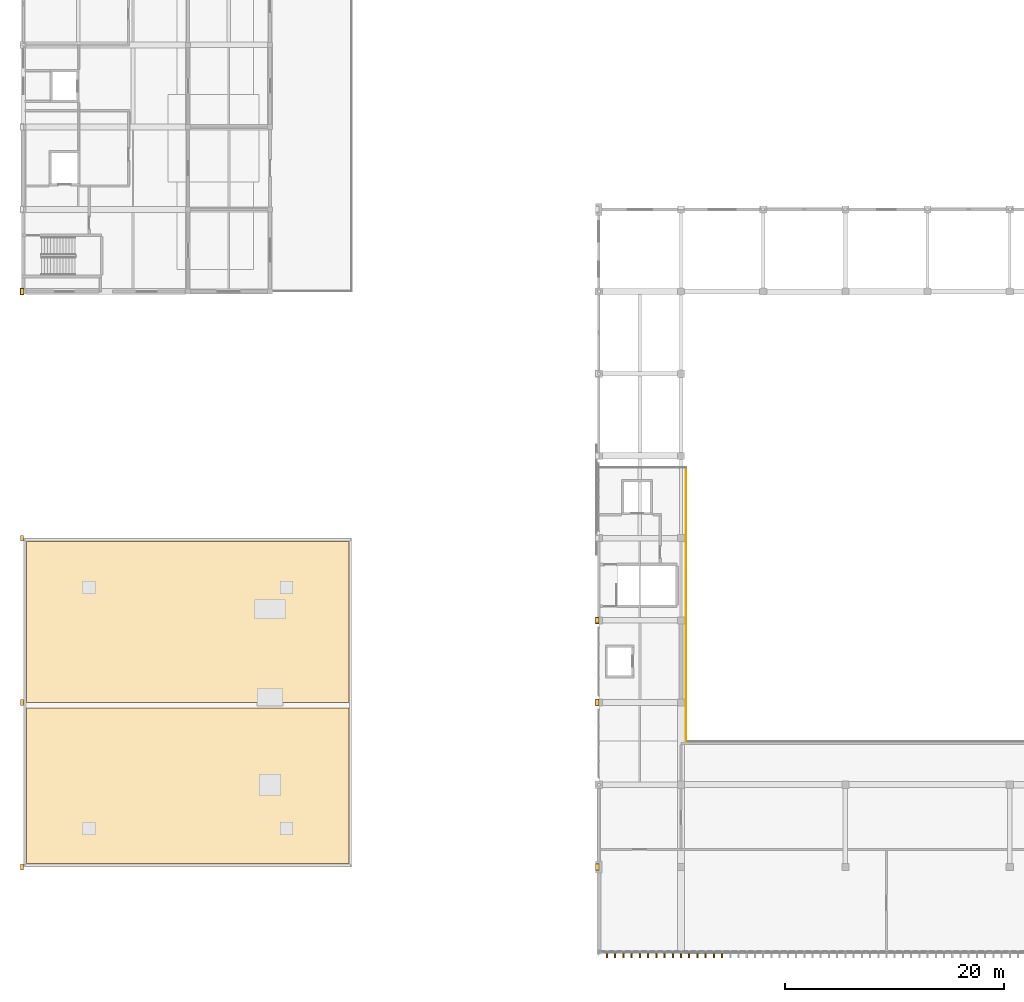
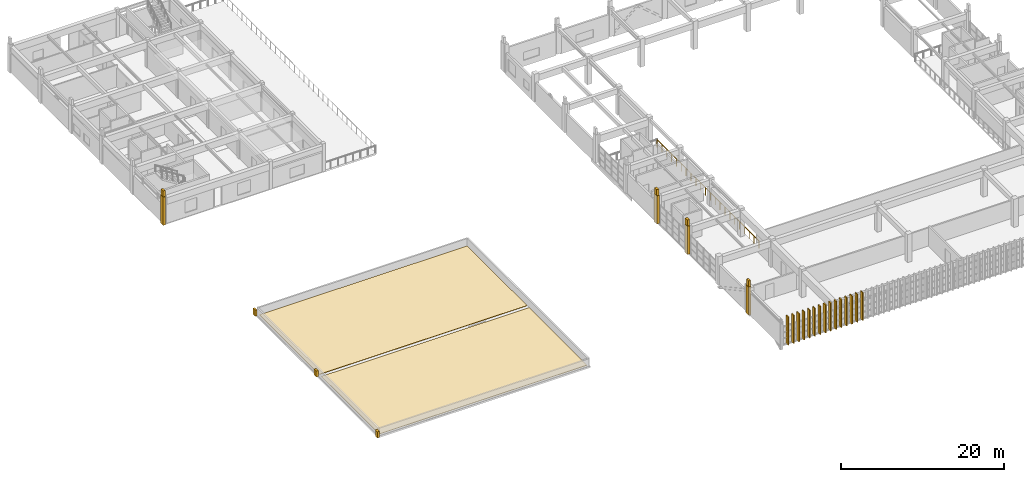
# One storey, part 44 of 51: 28 coverings, 1 railing.
"""IFC4 building model written with IfcOpenShell, lengths in metres."""

from ifc_helpers import new_model, si_unit, direction, frame, origin, origin_2d, place, context, subcontext, project, spatial, polyline, rectangle, circle, outline, extrude, material, layer, layer_set, type_object, element, save


model = new_model("IFC4")

# Units and contexts
model_context = context("Model", 3, precision=1e-05, world=origin(), true_north=direction((0.0, 1.0)))
body_context = subcontext(model_context, "Body", "Model", "MODEL_VIEW")
ifc_project = project(units=[si_unit("LENGTHUNIT", "METRE"), si_unit("AREAUNIT", "SQUARE_METRE"), si_unit("VOLUMEUNIT", "CUBIC_METRE"), si_unit("PLANEANGLEUNIT", "RADIAN"), si_unit("MASSUNIT", "GRAM", prefix="KILO")], contexts=[model_context])

# Site, building, storey
site_placement = place(None, origin())
site = spatial("IfcSite", under=ifc_project, at=site_placement, CompositionType="ELEMENT")
building_placement = place(site_placement, origin())
building = spatial("IfcBuilding", under=site, at=building_placement, Name="Qasida Concert Hall", CompositionType="ELEMENT")
storey_placement = place(building_placement, frame((0.0, 0.0, 21.0)))
storey = spatial("IfcBuildingStorey", under=building, at=storey_placement, Name="L05", CompositionType="ELEMENT", Elevation=21.0)

# Coverings
ifc_material_1 = material(Name="Fluted ochre Lebanese limestone and patinated bronze fin", Category="masonry")
ifc_layer_1 = layer(ifc_material_1, 0.52001953125, Name="Fluted ochre Lebanese limestone and patinated bronze fin")
ifc_layer_set_1 = layer_set([ifc_layer_1], Name="Fluted ochre Lebanese limestone and patinated bronze fin")
covering_type_1 = type_object("IfcCoveringType", Name="CV-FIN-520", PredefinedType="CLADDING", material=ifc_layer_set_1)
for number, where, z_axis, x_axis, name in (
    (1, (53.25, 14.4599609375, 0.0), (0.0, 0.0, 1.0), (1.0, 0.0, 0.0), "L05 fluted facade fin FN-001"),
    (2, (54.0, 14.4599609375, 0.0), (0.0, 0.0, 1.0), (1.0, 0.0, 0.0), "L05 fluted facade fin FN-002"),
    (3, (54.75, 14.4599609375, 0.0), (0.0, 0.0, 1.0), (1.0, 0.0, 0.0), "L05 fluted facade fin FN-003"),
    (4, (55.5, 14.4599609375, 0.0), (0.0, 0.0, 1.0), (1.0, 0.0, 0.0), "L05 fluted facade fin FN-004"),
    (5, (56.25, 14.4599609375, 0.0), (0.0, 0.0, 1.0), (1.0, 0.0, 0.0), "L05 fluted facade fin FN-005"),
    (6, (57.0, 14.4599609375, 0.0), (0.0, 0.0, 1.0), (1.0, 0.0, 0.0), "L05 fluted facade fin FN-006"),
    (7, (57.75, 14.4599609375, 0.0), (0.0, 0.0, 1.0), (1.0, 0.0, 0.0), "L05 fluted facade fin FN-007"),
    (8, (58.5, 14.4599609375, 0.0), (0.0, 0.0, 1.0), (1.0, 0.0, 0.0), "L05 fluted facade fin FN-008"),
    (9, (59.25, 14.4599609375, 0.0), (0.0, 0.0, 1.0), (1.0, 0.0, 0.0), "L05 fluted facade fin FN-009"),
    (10, (60.0, 14.4599609375, 0.0), (0.0, 0.0, 1.0), (1.0, 0.0, 0.0), "L05 fluted facade fin FN-010"),
    (11, (60.75, 14.4599609375, 0.0), (0.0, 0.0, 1.0), (1.0, 0.0, 0.0), "L05 fluted facade fin FN-011"),
    (12, (61.5, 14.4599609375, 0.0), (0.0, 0.0, 1.0), (1.0, 0.0, 0.0), "L05 fluted facade fin FN-012"),
    (13, (62.25, 14.4599609375, 0.0), (0.0, 0.0, 1.0), (1.0, 0.0, 0.0), "L05 fluted facade fin FN-013"),
    (14, (63.0, 14.4599609375, 0.0), (0.0, 0.0, 1.0), (1.0, 0.0, 0.0), "L05 fluted facade fin FN-014"),
    (15, (63.75, 14.4599609375, 0.0), (0.0, 0.0, 1.0), (1.0, 0.0, 0.0), "L05 fluted facade fin FN-015"),
):
    element("IfcCovering", number, at=place(storey_placement, frame(where, z_axis=z_axis, x_axis=x_axis)), inside=storey, type_object=covering_type_1, Name=name, PredefinedType="CLADDING", context=body_context, shape_type="SweptSolid", body=[
        extrude(rectangle(XDim=0.139892578125, YDim=0.52001953125, at=origin_2d()), origin(), (0.0, 0.0, 1.0), 4.199951171875),
    ])
ifc_material_2 = material(Name="Projecting fluted Lebanese limestone Art Deco pilaster", Category="masonry")
ifc_layer_2 = layer(ifc_material_2, 0.35009765625, Name="Projecting fluted Lebanese limestone Art Deco pilaster")
ifc_layer_set_2 = layer_set([ifc_layer_2], Name="Projecting fluted Lebanese limestone Art Deco pilaster")
covering_type_2 = type_object("IfcCoveringType", Name="CV-PIL-650", PredefinedType="CLADDING", material=ifc_layer_set_2)
covering_1_placement = place(storey_placement, frame((52.364990234375, 22.5, 0.0), z_axis=(0.0, 0.0, 1.0), x_axis=(1.0, 0.0, 0.0)))
element("IfcCovering", 16, at=covering_1_placement, inside=storey, type_object=covering_type_2, Name="L05 fluted limestone pilaster 0006", PredefinedType="CLADDING", context=body_context, shape_type="SweptSolid", body=[
    extrude(rectangle(XDim=0.35009765625, YDim=0.64990234375, at=origin_2d()), origin(), (0.0, 0.0, 1.0), 4.199951171875),
])
covering_2_placement = place(storey_placement, frame((52.364990234375, 22.5, 4.199951171875), z_axis=(0.0, 0.0, 1.0), x_axis=(1.0, 0.0, 0.0)))
element("IfcCovering", 17, at=covering_2_placement, inside=storey, type_object=covering_type_2, Name="Stepped Art Deco pier finial 0007", PredefinedType="CLADDING", context=body_context, shape_type="SweptSolid", body=[
    extrude(rectangle(XDim=0.300048828125, YDim=0.52001953125, at=origin_2d()), origin(), (0.0, 0.0, 1.0), 0.89990234375),
])
covering_3_placement = place(storey_placement, frame((52.364990234375, 37.5, 0.0), z_axis=(0.0, 0.0, 1.0), x_axis=(1.0, 0.0, 0.0)))
element("IfcCovering", 18, at=covering_3_placement, inside=storey, type_object=covering_type_2, Name="L05 fluted limestone pilaster 0020", PredefinedType="CLADDING", context=body_context, shape_type="SweptSolid", body=[
    extrude(rectangle(XDim=0.35009765625, YDim=0.64990234375, at=origin_2d()), origin(), (0.0, 0.0, 1.0), 4.199951171875),
])
covering_4_placement = place(storey_placement, frame((52.364990234375, 37.5, 4.199951171875), z_axis=(0.0, 0.0, 1.0), x_axis=(1.0, 0.0, 0.0)))
element("IfcCovering", 19, at=covering_4_placement, inside=storey, type_object=covering_type_2, Name="Stepped Art Deco pier finial 0021", PredefinedType="CLADDING", context=body_context, shape_type="SweptSolid", body=[
    extrude(rectangle(XDim=0.300048828125, YDim=0.52001953125, at=origin_2d()), origin(), (0.0, 0.0, 1.0), 0.89990234375),
])
covering_5_placement = place(storey_placement, frame((52.364990234375, 45.0, 0.0), z_axis=(0.0, 0.0, 1.0), x_axis=(1.0, 0.0, 0.0)))
element("IfcCovering", 20, at=covering_5_placement, inside=storey, type_object=covering_type_2, Name="L05 fluted limestone pilaster 0034", PredefinedType="CLADDING", context=body_context, shape_type="SweptSolid", body=[
    extrude(rectangle(XDim=0.35009765625, YDim=0.64990234375, at=origin_2d()), origin(), (0.0, 0.0, 1.0), 4.199951171875),
])
for number, where, z_axis, x_axis, name in (
    (21, (52.364990234375, 45.0, 4.199951171875), (0.0, 0.0, 1.0), (1.0, 0.0, 0.0), "Stepped Art Deco pier finial 0035"),
    (22, (-0.135009765625, 22.5, 0.0), (0.0, 0.0, 1.0), (1.0, 0.0, 0.0), "Stepped Art Deco pier finial 0178"),
    (23, (-0.135009765625, 37.5, 0.0), (0.0, 0.0, 1.0), (1.0, 0.0, 0.0), "Stepped Art Deco pier finial 0184"),
    (24, (-0.135009765625, 52.5, 0.0), (0.0, 0.0, 1.0), (1.0, 0.0, 0.0), "Stepped Art Deco pier finial 0190"),
):
    element("IfcCovering", number, at=place(storey_placement, frame(where, z_axis=z_axis, x_axis=x_axis)), inside=storey, type_object=covering_type_2, Name=name, PredefinedType="CLADDING", context=body_context, shape_type="SweptSolid", body=[
        extrude(rectangle(XDim=0.300048828125, YDim=0.52001953125, at=origin_2d()), origin(), (0.0, 0.0, 1.0), 0.89990234375),
    ])
covering_6_placement = place(storey_placement, frame((-0.135009765625, 75.0, 0.0), z_axis=(0.0, 0.0, 1.0), x_axis=(1.0, 0.0, 0.0)))
element("IfcCovering", 25, at=covering_6_placement, inside=storey, type_object=covering_type_2, Name="L05 fluted limestone pilaster 0270", PredefinedType="CLADDING", context=body_context, shape_type="SweptSolid", body=[
    extrude(rectangle(XDim=0.35009765625, YDim=0.64990234375, at=origin_2d()), origin(), (0.0, 0.0, 1.0), 4.199951171875),
])
covering_7_placement = place(storey_placement, frame((-0.135009765625, 75.0, 4.199951171875), z_axis=(0.0, 0.0, 1.0), x_axis=(1.0, 0.0, 0.0)))
element("IfcCovering", 26, at=covering_7_placement, inside=storey, type_object=covering_type_2, Name="Stepped Art Deco pier finial 0271", PredefinedType="CLADDING", context=body_context, shape_type="SweptSolid", body=[
    extrude(rectangle(XDim=0.300048828125, YDim=0.52001953125, at=origin_2d()), origin(), (0.0, 0.0, 1.0), 0.89990234375),
])
ifc_material_3 = material(Name="Standing-seam patinated zinc-bronze acoustic roofing", Category="aluminium")
ifc_layer_3 = layer(ifc_material_3, 0.06005859375, Name="Standing-seam patinated zinc-bronze acoustic roofing")
ifc_layer_set_3 = layer_set([ifc_layer_3], Name="Standing-seam patinated zinc-bronze acoustic roofing")
covering_type_3 = type_object("IfcCoveringType", Name="CV-RF-1", PredefinedType="ROOFING", material=ifc_layer_set_3)
covering_8_placement = place(storey_placement, origin())
element("IfcCovering", 27, at=covering_8_placement, inside=storey, type_object=covering_type_3, Name="L05 acoustic standing-seam roofing 03", PredefinedType="ROOFING", context=body_context, shape_type="SweptSolid", body=[
    extrude(outline(polyline([(0.300048828125, 22.800048828125), (29.699951171875, 22.800048828125), (29.699951171875, 37.0), (0.300048828125, 37.0), (0.300048828125, 22.800048828125)])), origin(), (0.0, 0.0, 1.0), 0.06005859375),
])
covering_9_placement = place(storey_placement, origin())
element("IfcCovering", 28, at=covering_9_placement, inside=storey, type_object=covering_type_3, Name="L05 acoustic standing-seam roofing 04", PredefinedType="ROOFING", context=body_context, shape_type="SweptSolid", body=[
    extrude(outline(polyline([(0.300048828125, 37.5), (29.699951171875, 37.5), (29.699951171875, 52.199951171875), (0.300048828125, 52.199951171875), (0.300048828125, 37.5)])), origin(), (0.0, 0.0, 1.0), 0.06005859375),
])

# Railing
ifc_material_4 = material(Name="Patinated architectural bronze and laminated glass infill", Category="glass")
ifc_layer_4 = layer(ifc_material_4, 0.080078125, Name="Patinated architectural bronze and laminated glass infill")
ifc_layer_set_4 = layer_set([ifc_layer_4], Name="Patinated architectural bronze and laminated glass infill")
railing_type = type_object("IfcRailingType", Name="RL-GRD-1100", PredefinedType="GUARDRAIL", material=ifc_layer_set_4)
railing_placement = place(storey_placement, frame((60.4599609375, 58.949951171875, 0.0)))
element("IfcRailing", 29, at=railing_placement, inside=storey, type_object=railing_type, Name="L05 Symphony upper gallery guardrail 0119", PredefinedType="GUARDRAIL", context=body_context, shape_type="SweptSolid", body=[
    extrude(circle(Radius=0.02392578125, at=origin_2d()), frame((0.0, 0.0, 1.09619140625), z_axis=(0.0, -1.0, 0.0), x_axis=(1.0, 0.0, 0.0)), (0.0, 0.0, 1.0), 24.989990234375),
    extrude(circle(Radius=0.02099609375, at=origin_2d()), origin(), (0.0, 0.0, 1.0), 1.072021484375),
    extrude(circle(Radius=0.02099609375, at=origin_2d()), frame((0.0, -1.18994140625, 0.0)), (0.0, 0.0, 1.0), 1.072021484375),
    extrude(circle(Radius=0.02099609375, at=origin_2d()), frame((0.0, -2.3798828125, 0.0)), (0.0, 0.0, 1.0), 1.072021484375),
    extrude(circle(Radius=0.02099609375, at=origin_2d()), frame((0.0, -3.570068359375, 0.0)), (0.0, 0.0, 1.0), 1.072021484375),
    extrude(circle(Radius=0.02099609375, at=origin_2d()), frame((0.0, -4.760009765625, 0.0)), (0.0, 0.0, 1.0), 1.072021484375),
    extrude(circle(Radius=0.02099609375, at=origin_2d()), frame((0.0, -5.949951171875, 0.0)), (0.0, 0.0, 1.0), 1.072021484375),
    extrude(circle(Radius=0.02099609375, at=origin_2d()), frame((0.0, -7.139892578125, 0.0)), (0.0, 0.0, 1.0), 1.072021484375),
    extrude(circle(Radius=0.02099609375, at=origin_2d()), frame((0.0, -8.330078125, 0.0)), (0.0, 0.0, 1.0), 1.072021484375),
    extrude(circle(Radius=0.02099609375, at=origin_2d()), frame((0.0, -9.52001953125, 0.0)), (0.0, 0.0, 1.0), 1.072021484375),
    extrude(circle(Radius=0.02099609375, at=origin_2d()), frame((0.0, -10.7099609375, 0.0)), (0.0, 0.0, 1.0), 1.072021484375),
    extrude(circle(Radius=0.02099609375, at=origin_2d()), frame((0.0, -11.89990234375, 0.0)), (0.0, 0.0, 1.0), 1.072021484375),
    extrude(circle(Radius=0.02099609375, at=origin_2d()), frame((0.0, -13.090087890625, 0.0)), (0.0, 0.0, 1.0), 1.072021484375),
    extrude(circle(Radius=0.02099609375, at=origin_2d()), frame((0.0, -14.280029296875, 0.0)), (0.0, 0.0, 1.0), 1.072021484375),
    extrude(circle(Radius=0.02099609375, at=origin_2d()), frame((0.0, -15.469970703125, 0.0)), (0.0, 0.0, 1.0), 1.072021484375),
    extrude(circle(Radius=0.02099609375, at=origin_2d()), frame((0.0, -16.659912109375, 0.0)), (0.0, 0.0, 1.0), 1.072021484375),
    extrude(circle(Radius=0.02099609375, at=origin_2d()), frame((0.0, -17.85009765625, 0.0)), (0.0, 0.0, 1.0), 1.072021484375),
    extrude(circle(Radius=0.02099609375, at=origin_2d()), frame((0.0, -19.0400390625, 0.0)), (0.0, 0.0, 1.0), 1.072021484375),
    extrude(circle(Radius=0.02099609375, at=origin_2d()), frame((0.0, -20.22998046875, 0.0)), (0.0, 0.0, 1.0), 1.072021484375),
    extrude(circle(Radius=0.02099609375, at=origin_2d()), frame((0.0, -21.419921875, 0.0)), (0.0, 0.0, 1.0), 1.072021484375),
    extrude(circle(Radius=0.02099609375, at=origin_2d()), frame((0.0, -22.610107421875, 0.0)), (0.0, 0.0, 1.0), 1.072021484375),
    extrude(circle(Radius=0.02099609375, at=origin_2d()), frame((0.0, -23.800048828125, 0.0)), (0.0, 0.0, 1.0), 1.072021484375),
    extrude(circle(Radius=0.02099609375, at=origin_2d()), frame((0.0, -24.989990234375, 0.0)), (0.0, 0.0, 1.0), 1.072021484375),
])

save(model, "model.ifc")
